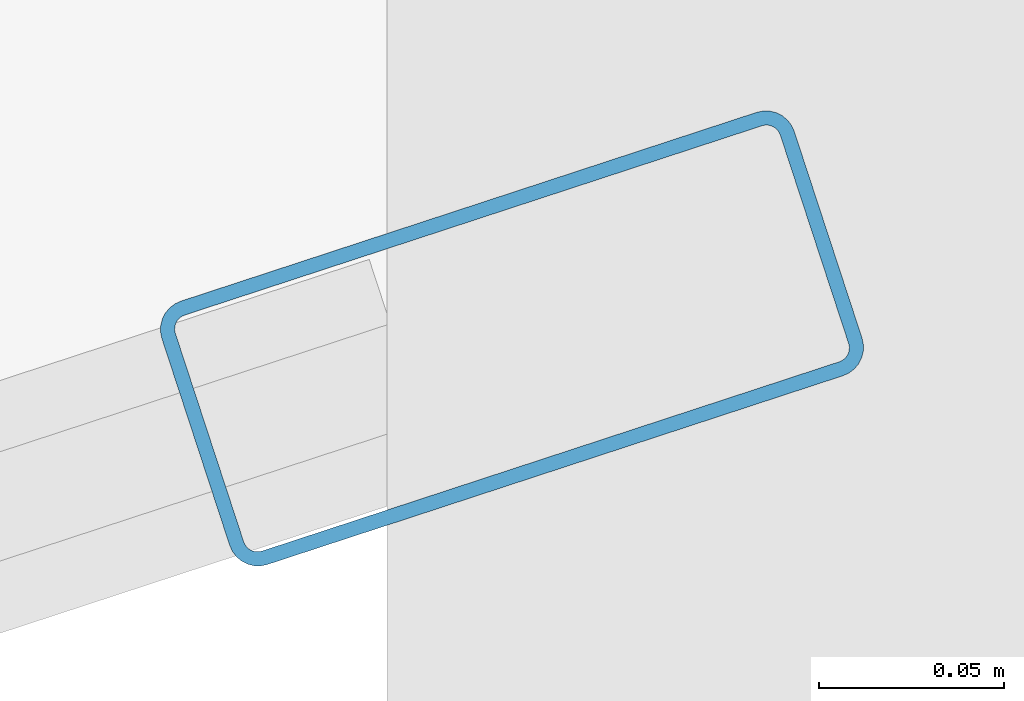
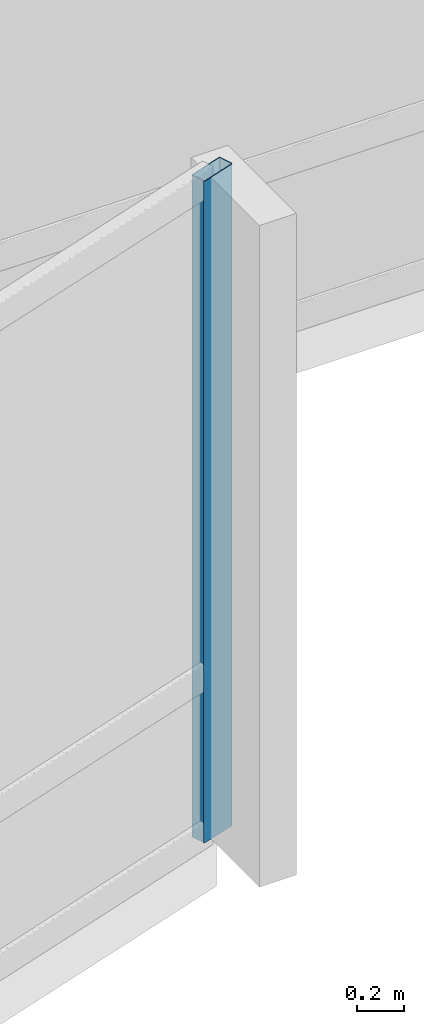
# One storey, part 10 of 34: 1 member, 1 element without a shape of its own.
"""IFC4 building model written with IfcOpenShell, lengths in metres."""

from ifc_helpers import new_model, si_unit, direction, frame, origin, origin_2d, place, context, subcontext, project, spatial, hollow_rectangle, extrude, material, layer, layer_set, material_profile, profile_set, type_object, element, aggregate, save


model = new_model("IFC4")

# Units and contexts
model_context = context("Model", 3, precision=1e-05, world=origin(), true_north=direction((0.0, 1.0)))
body_context = subcontext(model_context, "Body", "Model", "MODEL_VIEW")
ifc_project = project(units=[si_unit("LENGTHUNIT", "METRE"), si_unit("AREAUNIT", "SQUARE_METRE"), si_unit("VOLUMEUNIT", "CUBIC_METRE"), si_unit("PLANEANGLEUNIT", "RADIAN"), si_unit("MASSUNIT", "GRAM", prefix="KILO")], contexts=[model_context])

# Site, building, storey
site_placement = place(None, origin())
site = spatial("IfcSite", under=ifc_project, at=site_placement, CompositionType="ELEMENT")
building_placement = place(site_placement, origin())
building = spatial("IfcBuilding", under=site, at=building_placement, Name="Solvaryn Broadcast Tower", CompositionType="ELEMENT")
storey_placement = place(building_placement, frame((0.0, 0.0, 89.10009765625)))
storey = spatial("IfcBuildingStorey", under=building, at=storey_placement, Name="L21", CompositionType="ELEMENT", Elevation=89.10009765625)

# Curtain wall, member
ifc_material_1 = material(Name="Aluminium and Terracotta Unitised Curtain Wall", Category="masonry")
ifc_layer = layer(ifc_material_1, 0.199951171875)
ifc_layer_set = layer_set([ifc_layer], Name="CW-SYS2-LOWMID")
curtain_wall_type = type_object("IfcCurtainWallType", Name="CW-SYS2-LOWMID", PredefinedType="NOTDEFINED", material=ifc_layer_set)
curtain_wall_placement = place(storey_placement, origin())
curtain_wall = element("IfcCurtainWall", 1, at=curtain_wall_placement, inside=storey, type_object=curtain_wall_type, Name="L21 Curtain Wall DR4", PredefinedType="NOTDEFINED")
ifc_material_2 = material(Name="Anodised Aluminium 6063-T6", Category="aluminium")
ifc_material_profile = material_profile(ifc_material_2, hollow_rectangle(XDim=0.074951171875, YDim=0.179931640625, WallThickness=0.00390625, InnerFilletRadius=0.00390625, OuterFilletRadius=0.008056640625, at=origin_2d()))
ifc_profile_set = profile_set([ifc_material_profile], Name="Anodised Aluminium 6063-T6")
member_type = type_object("IfcMemberType", Name="CW-MUL-180", PredefinedType="MULLION", material=ifc_profile_set)
member_placement = place(storey_placement, frame((45.987548828125, 5.90673828125, 0.0), z_axis=(0.0, 0.0, 1.0), x_axis=(-0.311594044587, 0.950215318429, 0.0)))
member = element("IfcMember", 2, at=member_placement, type_object=member_type, Name="CWS2 mullion 2", PredefinedType="MULLION", context=body_context, shape_type="SweptSolid", body=[
    extrude(hollow_rectangle(XDim=0.074951171875, YDim=0.179931640625, WallThickness=0.00390625, InnerFilletRadius=0.00390625, OuterFilletRadius=0.008056640625, at=origin_2d()), origin(), (0.0, 0.0, 1.0), 3.419921875),
])
aggregate(curtain_wall, [member])

save(model, "model.ifc")
